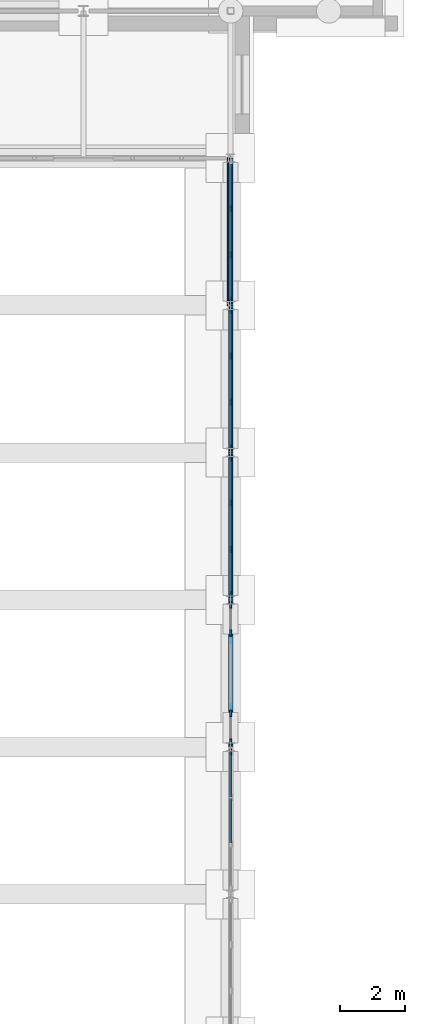
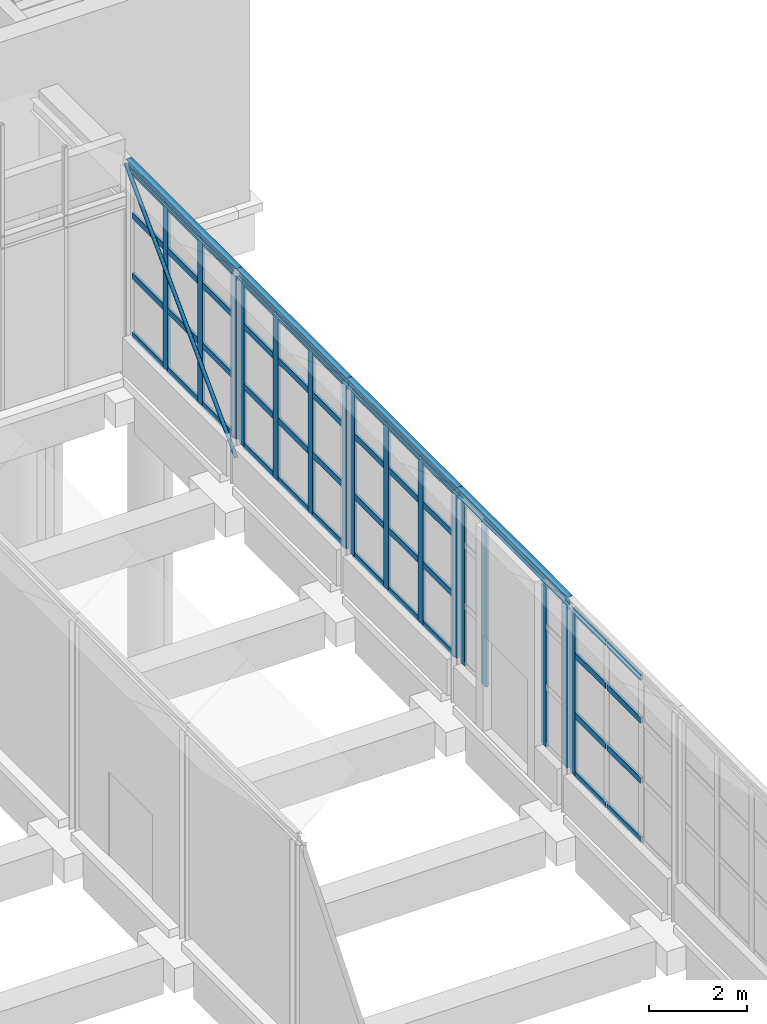
# One storey, part 47 of 106: 61 members, 4 beams, 6 elements without a shape of their own.
"""IFC4 building model written with IfcOpenShell, lengths in metres."""

from ifc_helpers import new_model, si_unit, direction, frame, origin, origin_2d, place, context, subcontext, project, spatial, rectangle, hollow_circle, i_section, extrude, material, layer, layer_set, material_profile, profile_set, type_object, element, aggregate, save


model = new_model("IFC4")

# Units and contexts
model_context = context("Model", 3, precision=1e-05, world=origin(), true_north=direction((0.0, 1.0)))
body_context = subcontext(model_context, "Body", "Model", "MODEL_VIEW")
ifc_project = project(units=[si_unit("LENGTHUNIT", "METRE"), si_unit("AREAUNIT", "SQUARE_METRE"), si_unit("VOLUMEUNIT", "CUBIC_METRE"), si_unit("PLANEANGLEUNIT", "RADIAN"), si_unit("MASSUNIT", "GRAM", prefix="KILO")], contexts=[model_context])

# Site, building, storey
site_placement = place(None, origin())
site = spatial("IfcSite", under=ifc_project, at=site_placement, CompositionType="ELEMENT")
building_placement = place(site_placement, origin())
building = spatial("IfcBuilding", under=site, at=building_placement, Name="Hortulan Conservatory and Botanical Research Centre", CompositionType="ELEMENT")
storey_placement = place(building_placement, origin())
storey = spatial("IfcBuildingStorey", under=building, at=storey_placement, Name="L00", CompositionType="ELEMENT", Elevation=0.0)

# Curtain wall, member
ifc_material_1 = material(Name="Bronze-finished aluminium", Category="aluminium")
ifc_layer = layer(ifc_material_1, 0.10009765625)
ifc_layer_set = layer_set([ifc_layer], Name="Bronze-framed Curtain Wall 1500 module")
curtain_wall_type = type_object("IfcCurtainWallType", Name="Bronze-framed Curtain Wall 1500 module", PredefinedType="NOTDEFINED", material=ifc_layer_set)
curtain_wall_1_placement = place(storey_placement, origin())
curtain_wall_1 = element("IfcCurtainWall", 1, at=curtain_wall_1_placement, inside=storey, type_object=curtain_wall_type, Name="Curtain wall", PredefinedType="NOTDEFINED")
ifc_material_profile_1 = material_profile(ifc_material_1, rectangle(XDim=0.06005859375, YDim=0.199951171875, at=origin_2d()), Name="Bronze Mullion 60x200")
ifc_profile_set_1 = profile_set([ifc_material_profile_1], Name="Bronze-finished aluminium")
member_type_1 = type_object("IfcMemberType", Name="Bronze Mullion 60x200", PredefinedType="MULLION", material=ifc_profile_set_1)
member_1_placement = place(storey_placement, frame((103.5, 13.343017578125, 0.89990234375), z_axis=(0.0, 0.0, 1.0), x_axis=(-1.0, 0.0, 0.0)))
member_1 = element("IfcMember", 2, at=member_1_placement, type_object=member_type_1, Name="CW1 mullion 4", PredefinedType="MULLION", context=body_context, shape_type="SweptSolid", body=[
    extrude(rectangle(XDim=0.06005859375, YDim=0.199951171875, at=origin_2d()), origin(), (0.0, 0.0, 1.0), 4.10009765625),
])

# Curtain wall, members
curtain_wall_2_placement = place(storey_placement, origin())
curtain_wall_2 = element("IfcCurtainWall", 3, at=curtain_wall_2_placement, inside=storey, type_object=curtain_wall_type, Name="Curtain wall", PredefinedType="NOTDEFINED")
member_2_placement = place(storey_placement, frame((103.5, 13.656982421875, 0.89990234375), z_axis=(0.0, 0.0, 1.0), x_axis=(-1.0, 0.0, 0.0)))
member_2 = element("IfcMember", 4, at=member_2_placement, type_object=member_type_1, Name="CW1 mullion 1", PredefinedType="MULLION", context=body_context, shape_type="SweptSolid", body=[
    extrude(rectangle(XDim=0.06005859375, YDim=0.199951171875, at=origin_2d()), origin(), (0.0, 0.0, 1.0), 4.10009765625),
])
member_3_placement = place(storey_placement, frame((103.5, 14.52001953125, 0.89990234375), z_axis=(0.0, 0.0, 1.0), x_axis=(-1.0, 0.0, 0.0)))
member_3 = element("IfcMember", 5, at=member_3_placement, type_object=member_type_1, Name="CW1 mullion 2", PredefinedType="MULLION", context=body_context, shape_type="SweptSolid", body=[
    extrude(rectangle(XDim=0.06005859375, YDim=0.199951171875, at=origin_2d()), origin(), (0.0, 0.0, 1.0), 4.10009765625),
])
aggregate(curtain_wall_2, [member_2, member_3])

curtain_wall_3_placement = place(storey_placement, origin())
curtain_wall_3 = element("IfcCurtainWall", 6, at=curtain_wall_3_placement, inside=storey, type_object=curtain_wall_type, Name="Curtain wall", PredefinedType="NOTDEFINED")
member_4_placement = place(storey_placement, frame((103.5, 16.97998046875, 0.89990234375), z_axis=(0.0, 0.0, 1.0), x_axis=(-1.0, 0.0, 0.0)))
member_4 = element("IfcMember", 7, at=member_4_placement, type_object=member_type_1, Name="CW1 mullion 1", PredefinedType="MULLION", context=body_context, shape_type="SweptSolid", body=[
    extrude(rectangle(XDim=0.06005859375, YDim=0.199951171875, at=origin_2d()), origin(), (0.0, 0.0, 1.0), 4.10009765625),
])
member_5_placement = place(storey_placement, frame((103.5, 17.843017578125, 0.89990234375), z_axis=(0.0, 0.0, 1.0), x_axis=(-1.0, 0.0, 0.0)))
member_5 = element("IfcMember", 8, at=member_5_placement, type_object=member_type_1, Name="CW1 mullion 2", PredefinedType="MULLION", context=body_context, shape_type="SweptSolid", body=[
    extrude(rectangle(XDim=0.06005859375, YDim=0.199951171875, at=origin_2d()), origin(), (0.0, 0.0, 1.0), 4.10009765625),
])
aggregate(curtain_wall_3, [member_4, member_5])

curtain_wall_4_placement = place(storey_placement, origin())
curtain_wall_4 = element("IfcCurtainWall", 9, at=curtain_wall_4_placement, inside=storey, type_object=curtain_wall_type, Name="Curtain wall", PredefinedType="NOTDEFINED")
member_6_placement = place(storey_placement, frame((103.5, 18.156982421875, 0.89990234375), z_axis=(0.0, 0.0, 1.0), x_axis=(-1.0, 0.0, 0.0)))
member_6 = element("IfcMember", 10, at=member_6_placement, type_object=member_type_1, Name="CW1 mullion 1", PredefinedType="MULLION", context=body_context, shape_type="SweptSolid", body=[
    extrude(rectangle(XDim=0.06005859375, YDim=0.199951171875, at=origin_2d()), origin(), (0.0, 0.0, 1.0), 4.10009765625),
])
member_7_placement = place(storey_placement, frame((103.5, 19.542236328125, 0.89990234375), z_axis=(0.0, 0.0, 1.0), x_axis=(-1.0, 0.0, 0.0)))
member_7 = element("IfcMember", 11, at=member_7_placement, type_object=member_type_1, Name="CW1 mullion 2", PredefinedType="MULLION", context=body_context, shape_type="SweptSolid", body=[
    extrude(rectangle(XDim=0.06005859375, YDim=0.199951171875, at=origin_2d()), origin(), (0.0, 0.0, 1.0), 4.10009765625),
])
member_8_placement = place(storey_placement, frame((103.5, 20.957763671875, 0.89990234375), z_axis=(0.0, 0.0, 1.0), x_axis=(-1.0, 0.0, 0.0)))
member_8 = element("IfcMember", 12, at=member_8_placement, type_object=member_type_1, Name="CW1 mullion 3", PredefinedType="MULLION", context=body_context, shape_type="SweptSolid", body=[
    extrude(rectangle(XDim=0.06005859375, YDim=0.199951171875, at=origin_2d()), origin(), (0.0, 0.0, 1.0), 4.10009765625),
])
member_9_placement = place(storey_placement, frame((103.5, 22.343017578125, 0.89990234375), z_axis=(0.0, 0.0, 1.0), x_axis=(-1.0, 0.0, 0.0)))
member_9 = element("IfcMember", 13, at=member_9_placement, type_object=member_type_1, Name="CW1 mullion 4", PredefinedType="MULLION", context=body_context, shape_type="SweptSolid", body=[
    extrude(rectangle(XDim=0.06005859375, YDim=0.199951171875, at=origin_2d()), origin(), (0.0, 0.0, 1.0), 4.10009765625),
])

curtain_wall_5_placement = place(storey_placement, origin())
curtain_wall_5 = element("IfcCurtainWall", 14, at=curtain_wall_5_placement, inside=storey, type_object=curtain_wall_type, Name="Curtain wall", PredefinedType="NOTDEFINED")
member_10_placement = place(storey_placement, frame((103.5, 22.656982421875, 0.89990234375), z_axis=(0.0, 0.0, 1.0), x_axis=(-1.0, 0.0, 0.0)))
member_10 = element("IfcMember", 15, at=member_10_placement, type_object=member_type_1, Name="CW1 mullion 1", PredefinedType="MULLION", context=body_context, shape_type="SweptSolid", body=[
    extrude(rectangle(XDim=0.06005859375, YDim=0.199951171875, at=origin_2d()), origin(), (0.0, 0.0, 1.0), 4.10009765625),
])
member_11_placement = place(storey_placement, frame((103.5, 24.042236328125, 0.89990234375), z_axis=(0.0, 0.0, 1.0), x_axis=(-1.0, 0.0, 0.0)))
member_11 = element("IfcMember", 16, at=member_11_placement, type_object=member_type_1, Name="CW1 mullion 2", PredefinedType="MULLION", context=body_context, shape_type="SweptSolid", body=[
    extrude(rectangle(XDim=0.06005859375, YDim=0.199951171875, at=origin_2d()), origin(), (0.0, 0.0, 1.0), 4.10009765625),
])
member_12_placement = place(storey_placement, frame((103.5, 25.457763671875, 0.89990234375), z_axis=(0.0, 0.0, 1.0), x_axis=(-1.0, 0.0, 0.0)))
member_12 = element("IfcMember", 17, at=member_12_placement, type_object=member_type_1, Name="CW1 mullion 3", PredefinedType="MULLION", context=body_context, shape_type="SweptSolid", body=[
    extrude(rectangle(XDim=0.06005859375, YDim=0.199951171875, at=origin_2d()), origin(), (0.0, 0.0, 1.0), 4.10009765625),
])
member_13_placement = place(storey_placement, frame((103.5, 26.843017578125, 0.89990234375), z_axis=(0.0, 0.0, 1.0), x_axis=(-1.0, 0.0, 0.0)))
member_13 = element("IfcMember", 18, at=member_13_placement, type_object=member_type_1, Name="CW1 mullion 4", PredefinedType="MULLION", context=body_context, shape_type="SweptSolid", body=[
    extrude(rectangle(XDim=0.06005859375, YDim=0.199951171875, at=origin_2d()), origin(), (0.0, 0.0, 1.0), 4.10009765625),
])

curtain_wall_6_placement = place(storey_placement, origin())
curtain_wall_6 = element("IfcCurtainWall", 19, at=curtain_wall_6_placement, inside=storey, type_object=curtain_wall_type, Name="Curtain wall", PredefinedType="NOTDEFINED")
member_14_placement = place(storey_placement, frame((103.5, 27.156982421875, 0.89990234375), z_axis=(0.0, 0.0, 1.0), x_axis=(-1.0, 0.0, 0.0)))
member_14 = element("IfcMember", 20, at=member_14_placement, type_object=member_type_1, Name="CW1 mullion 1", PredefinedType="MULLION", context=body_context, shape_type="SweptSolid", body=[
    extrude(rectangle(XDim=0.06005859375, YDim=0.199951171875, at=origin_2d()), origin(), (0.0, 0.0, 1.0), 4.10009765625),
])
member_15_placement = place(storey_placement, frame((103.5, 28.542236328125, 0.89990234375), z_axis=(0.0, 0.0, 1.0), x_axis=(-1.0, 0.0, 0.0)))
member_15 = element("IfcMember", 21, at=member_15_placement, type_object=member_type_1, Name="CW1 mullion 2", PredefinedType="MULLION", context=body_context, shape_type="SweptSolid", body=[
    extrude(rectangle(XDim=0.06005859375, YDim=0.199951171875, at=origin_2d()), origin(), (0.0, 0.0, 1.0), 4.10009765625),
])
member_16_placement = place(storey_placement, frame((103.5, 29.957763671875, 0.89990234375), z_axis=(0.0, 0.0, 1.0), x_axis=(-1.0, 0.0, 0.0)))
member_16 = element("IfcMember", 22, at=member_16_placement, type_object=member_type_1, Name="CW1 mullion 3", PredefinedType="MULLION", context=body_context, shape_type="SweptSolid", body=[
    extrude(rectangle(XDim=0.06005859375, YDim=0.199951171875, at=origin_2d()), origin(), (0.0, 0.0, 1.0), 4.10009765625),
])

# Member
ifc_material_profile_2 = material_profile(ifc_material_1, rectangle(XDim=0.06005859375, YDim=0.14990234375, at=origin_2d()), Name="Bronze Transom 60x150")
ifc_profile_set_2 = profile_set([ifc_material_profile_2], Name="Bronze-finished aluminium")
member_type_2 = type_object("IfcMemberType", Name="Bronze Transom 60x150", PredefinedType="USERDEFINED", material=ifc_profile_set_2)
member_17_placement = place(storey_placement, frame((103.5, 10.572265625, 0.929931640625), z_axis=(0.0, 1.0, 0.0), x_axis=(-1.0, 0.0, 0.0)))
member_17 = element("IfcMember", 23, at=member_17_placement, type_object=member_type_2, Name="CW1 transom 2.1", ObjectType="TRANSOM", PredefinedType="USERDEFINED", context=body_context, shape_type="SweptSolid", body=[
    extrude(rectangle(XDim=0.06005859375, YDim=0.14990234375, at=origin_2d()), origin(), (0.0, 0.0, 1.0), 1.35546875),
])

member_18_placement = place(storey_placement, frame((103.5, 10.572265625, 2.39990234375), z_axis=(0.0, 1.0, 0.0), x_axis=(-1.0, 0.0, 0.0)))
member_18 = element("IfcMember", 24, at=member_18_placement, type_object=member_type_2, Name="CW1 transom 2.2", ObjectType="TRANSOM", PredefinedType="USERDEFINED", context=body_context, shape_type="SweptSolid", body=[
    extrude(rectangle(XDim=0.06005859375, YDim=0.14990234375, at=origin_2d()), origin(), (0.0, 0.0, 1.0), 1.35546875),
])

member_19_placement = place(storey_placement, frame((103.5, 10.572265625, 3.89990234375), z_axis=(0.0, 1.0, 0.0), x_axis=(-1.0, 0.0, 0.0)))
member_19 = element("IfcMember", 25, at=member_19_placement, type_object=member_type_2, Name="CW1 transom 2.3", ObjectType="TRANSOM", PredefinedType="USERDEFINED", context=body_context, shape_type="SweptSolid", body=[
    extrude(rectangle(XDim=0.06005859375, YDim=0.14990234375, at=origin_2d()), origin(), (0.0, 0.0, 1.0), 1.35546875),
])

member_20_placement = place(storey_placement, frame((103.5, 10.572265625, 4.969970703125), z_axis=(0.0, 1.0, 0.0), x_axis=(-1.0, 0.0, 0.0)))
member_20 = element("IfcMember", 26, at=member_20_placement, type_object=member_type_2, Name="CW1 transom 2.4", ObjectType="TRANSOM", PredefinedType="USERDEFINED", context=body_context, shape_type="SweptSolid", body=[
    extrude(rectangle(XDim=0.06005859375, YDim=0.14990234375, at=origin_2d()), origin(), (0.0, 0.0, 1.0), 1.35546875),
])

member_21_placement = place(storey_placement, frame((103.5, 11.987548828125, 0.929931640625), z_axis=(0.0, 1.0, 0.0), x_axis=(-1.0, 0.0, 0.0)))
member_21 = element("IfcMember", 27, at=member_21_placement, type_object=member_type_2, Name="CW1 transom 3.1", ObjectType="TRANSOM", PredefinedType="USERDEFINED", context=body_context, shape_type="SweptSolid", body=[
    extrude(rectangle(XDim=0.06005859375, YDim=0.14990234375, at=origin_2d()), origin(), (0.0, 0.0, 1.0), 1.325439453125),
])

member_22_placement = place(storey_placement, frame((103.5, 11.987548828125, 2.39990234375), z_axis=(0.0, 1.0, 0.0), x_axis=(-1.0, 0.0, 0.0)))
member_22 = element("IfcMember", 28, at=member_22_placement, type_object=member_type_2, Name="CW1 transom 3.2", ObjectType="TRANSOM", PredefinedType="USERDEFINED", context=body_context, shape_type="SweptSolid", body=[
    extrude(rectangle(XDim=0.06005859375, YDim=0.14990234375, at=origin_2d()), origin(), (0.0, 0.0, 1.0), 1.325439453125),
])

member_23_placement = place(storey_placement, frame((103.5, 11.987548828125, 3.89990234375), z_axis=(0.0, 1.0, 0.0), x_axis=(-1.0, 0.0, 0.0)))
member_23 = element("IfcMember", 29, at=member_23_placement, type_object=member_type_2, Name="CW1 transom 3.3", ObjectType="TRANSOM", PredefinedType="USERDEFINED", context=body_context, shape_type="SweptSolid", body=[
    extrude(rectangle(XDim=0.06005859375, YDim=0.14990234375, at=origin_2d()), origin(), (0.0, 0.0, 1.0), 1.325439453125),
])

member_24_placement = place(storey_placement, frame((103.5, 11.987548828125, 4.969970703125), z_axis=(0.0, 1.0, 0.0), x_axis=(-1.0, 0.0, 0.0)))
member_24 = element("IfcMember", 30, at=member_24_placement, type_object=member_type_2, Name="CW1 transom 3.4", ObjectType="TRANSOM", PredefinedType="USERDEFINED", context=body_context, shape_type="SweptSolid", body=[
    extrude(rectangle(XDim=0.06005859375, YDim=0.14990234375, at=origin_2d()), origin(), (0.0, 0.0, 1.0), 1.325439453125),
])

aggregate(curtain_wall_1, [member_1, member_17, member_18, member_19, member_20, member_21, member_22, member_23, member_24])

member_25_placement = place(storey_placement, frame((103.5, 18.18701171875, 0.929931640625), z_axis=(0.0, 1.0, 0.0), x_axis=(-1.0, 0.0, 0.0)))
member_25 = element("IfcMember", 31, at=member_25_placement, type_object=member_type_2, Name="CW1 transom 1.1", ObjectType="TRANSOM", PredefinedType="USERDEFINED", context=body_context, shape_type="SweptSolid", body=[
    extrude(rectangle(XDim=0.06005859375, YDim=0.14990234375, at=origin_2d()), origin(), (0.0, 0.0, 1.0), 1.325439453125),
])

member_26_placement = place(storey_placement, frame((103.5, 18.18701171875, 2.39990234375), z_axis=(0.0, 1.0, 0.0), x_axis=(-1.0, 0.0, 0.0)))
member_26 = element("IfcMember", 32, at=member_26_placement, type_object=member_type_2, Name="CW1 transom 1.2", ObjectType="TRANSOM", PredefinedType="USERDEFINED", context=body_context, shape_type="SweptSolid", body=[
    extrude(rectangle(XDim=0.06005859375, YDim=0.14990234375, at=origin_2d()), origin(), (0.0, 0.0, 1.0), 1.325439453125),
])

member_27_placement = place(storey_placement, frame((103.5, 18.18701171875, 3.89990234375), z_axis=(0.0, 1.0, 0.0), x_axis=(-1.0, 0.0, 0.0)))
member_27 = element("IfcMember", 33, at=member_27_placement, type_object=member_type_2, Name="CW1 transom 1.3", ObjectType="TRANSOM", PredefinedType="USERDEFINED", context=body_context, shape_type="SweptSolid", body=[
    extrude(rectangle(XDim=0.06005859375, YDim=0.14990234375, at=origin_2d()), origin(), (0.0, 0.0, 1.0), 1.325439453125),
])

member_28_placement = place(storey_placement, frame((103.5, 18.18701171875, 4.969970703125), z_axis=(0.0, 1.0, 0.0), x_axis=(-1.0, 0.0, 0.0)))
member_28 = element("IfcMember", 34, at=member_28_placement, type_object=member_type_2, Name="CW1 transom 1.4", ObjectType="TRANSOM", PredefinedType="USERDEFINED", context=body_context, shape_type="SweptSolid", body=[
    extrude(rectangle(XDim=0.06005859375, YDim=0.14990234375, at=origin_2d()), origin(), (0.0, 0.0, 1.0), 1.325439453125),
])

member_29_placement = place(storey_placement, frame((103.5, 19.572265625, 0.929931640625), z_axis=(0.0, 1.0, 0.0), x_axis=(-1.0, 0.0, 0.0)))
member_29 = element("IfcMember", 35, at=member_29_placement, type_object=member_type_2, Name="CW1 transom 2.1", ObjectType="TRANSOM", PredefinedType="USERDEFINED", context=body_context, shape_type="SweptSolid", body=[
    extrude(rectangle(XDim=0.06005859375, YDim=0.14990234375, at=origin_2d()), origin(), (0.0, 0.0, 1.0), 1.35546875),
])

member_30_placement = place(storey_placement, frame((103.5, 19.572265625, 2.39990234375), z_axis=(0.0, 1.0, 0.0), x_axis=(-1.0, 0.0, 0.0)))
member_30 = element("IfcMember", 36, at=member_30_placement, type_object=member_type_2, Name="CW1 transom 2.2", ObjectType="TRANSOM", PredefinedType="USERDEFINED", context=body_context, shape_type="SweptSolid", body=[
    extrude(rectangle(XDim=0.06005859375, YDim=0.14990234375, at=origin_2d()), origin(), (0.0, 0.0, 1.0), 1.35546875),
])

member_31_placement = place(storey_placement, frame((103.5, 19.572265625, 3.89990234375), z_axis=(0.0, 1.0, 0.0), x_axis=(-1.0, 0.0, 0.0)))
member_31 = element("IfcMember", 37, at=member_31_placement, type_object=member_type_2, Name="CW1 transom 2.3", ObjectType="TRANSOM", PredefinedType="USERDEFINED", context=body_context, shape_type="SweptSolid", body=[
    extrude(rectangle(XDim=0.06005859375, YDim=0.14990234375, at=origin_2d()), origin(), (0.0, 0.0, 1.0), 1.35546875),
])

member_32_placement = place(storey_placement, frame((103.5, 19.572265625, 4.969970703125), z_axis=(0.0, 1.0, 0.0), x_axis=(-1.0, 0.0, 0.0)))
member_32 = element("IfcMember", 38, at=member_32_placement, type_object=member_type_2, Name="CW1 transom 2.4", ObjectType="TRANSOM", PredefinedType="USERDEFINED", context=body_context, shape_type="SweptSolid", body=[
    extrude(rectangle(XDim=0.06005859375, YDim=0.14990234375, at=origin_2d()), origin(), (0.0, 0.0, 1.0), 1.35546875),
])

member_33_placement = place(storey_placement, frame((103.5, 20.987548828125, 0.929931640625), z_axis=(0.0, 1.0, 0.0), x_axis=(-1.0, 0.0, 0.0)))
member_33 = element("IfcMember", 39, at=member_33_placement, type_object=member_type_2, Name="CW1 transom 3.1", ObjectType="TRANSOM", PredefinedType="USERDEFINED", context=body_context, shape_type="SweptSolid", body=[
    extrude(rectangle(XDim=0.06005859375, YDim=0.14990234375, at=origin_2d()), origin(), (0.0, 0.0, 1.0), 1.325439453125),
])

member_34_placement = place(storey_placement, frame((103.5, 20.987548828125, 2.39990234375), z_axis=(0.0, 1.0, 0.0), x_axis=(-1.0, 0.0, 0.0)))
member_34 = element("IfcMember", 40, at=member_34_placement, type_object=member_type_2, Name="CW1 transom 3.2", ObjectType="TRANSOM", PredefinedType="USERDEFINED", context=body_context, shape_type="SweptSolid", body=[
    extrude(rectangle(XDim=0.06005859375, YDim=0.14990234375, at=origin_2d()), origin(), (0.0, 0.0, 1.0), 1.325439453125),
])

member_35_placement = place(storey_placement, frame((103.5, 20.987548828125, 3.89990234375), z_axis=(0.0, 1.0, 0.0), x_axis=(-1.0, 0.0, 0.0)))
member_35 = element("IfcMember", 41, at=member_35_placement, type_object=member_type_2, Name="CW1 transom 3.3", ObjectType="TRANSOM", PredefinedType="USERDEFINED", context=body_context, shape_type="SweptSolid", body=[
    extrude(rectangle(XDim=0.06005859375, YDim=0.14990234375, at=origin_2d()), origin(), (0.0, 0.0, 1.0), 1.325439453125),
])

member_36_placement = place(storey_placement, frame((103.5, 20.987548828125, 4.969970703125), z_axis=(0.0, 1.0, 0.0), x_axis=(-1.0, 0.0, 0.0)))
member_36 = element("IfcMember", 42, at=member_36_placement, type_object=member_type_2, Name="CW1 transom 3.4", ObjectType="TRANSOM", PredefinedType="USERDEFINED", context=body_context, shape_type="SweptSolid", body=[
    extrude(rectangle(XDim=0.06005859375, YDim=0.14990234375, at=origin_2d()), origin(), (0.0, 0.0, 1.0), 1.325439453125),
])

aggregate(curtain_wall_4, [member_6, member_7, member_8, member_9, member_25, member_26, member_27, member_28, member_29, member_30, member_31, member_32, member_33, member_34, member_35, member_36])

member_37_placement = place(storey_placement, frame((103.5, 22.68701171875, 0.929931640625), z_axis=(0.0, 1.0, 0.0), x_axis=(-1.0, 0.0, 0.0)))
member_37 = element("IfcMember", 43, at=member_37_placement, type_object=member_type_2, Name="CW1 transom 1.1", ObjectType="TRANSOM", PredefinedType="USERDEFINED", context=body_context, shape_type="SweptSolid", body=[
    extrude(rectangle(XDim=0.06005859375, YDim=0.14990234375, at=origin_2d()), origin(), (0.0, 0.0, 1.0), 1.325439453125),
])

member_38_placement = place(storey_placement, frame((103.5, 22.68701171875, 2.39990234375), z_axis=(0.0, 1.0, 0.0), x_axis=(-1.0, 0.0, 0.0)))
member_38 = element("IfcMember", 44, at=member_38_placement, type_object=member_type_2, Name="CW1 transom 1.2", ObjectType="TRANSOM", PredefinedType="USERDEFINED", context=body_context, shape_type="SweptSolid", body=[
    extrude(rectangle(XDim=0.06005859375, YDim=0.14990234375, at=origin_2d()), origin(), (0.0, 0.0, 1.0), 1.325439453125),
])

member_39_placement = place(storey_placement, frame((103.5, 22.68701171875, 3.89990234375), z_axis=(0.0, 1.0, 0.0), x_axis=(-1.0, 0.0, 0.0)))
member_39 = element("IfcMember", 45, at=member_39_placement, type_object=member_type_2, Name="CW1 transom 1.3", ObjectType="TRANSOM", PredefinedType="USERDEFINED", context=body_context, shape_type="SweptSolid", body=[
    extrude(rectangle(XDim=0.06005859375, YDim=0.14990234375, at=origin_2d()), origin(), (0.0, 0.0, 1.0), 1.325439453125),
])

member_40_placement = place(storey_placement, frame((103.5, 22.68701171875, 4.969970703125), z_axis=(0.0, 1.0, 0.0), x_axis=(-1.0, 0.0, 0.0)))
member_40 = element("IfcMember", 46, at=member_40_placement, type_object=member_type_2, Name="CW1 transom 1.4", ObjectType="TRANSOM", PredefinedType="USERDEFINED", context=body_context, shape_type="SweptSolid", body=[
    extrude(rectangle(XDim=0.06005859375, YDim=0.14990234375, at=origin_2d()), origin(), (0.0, 0.0, 1.0), 1.325439453125),
])

member_41_placement = place(storey_placement, frame((103.5, 24.072265625, 0.929931640625), z_axis=(0.0, 1.0, 0.0), x_axis=(-1.0, 0.0, 0.0)))
member_41 = element("IfcMember", 47, at=member_41_placement, type_object=member_type_2, Name="CW1 transom 2.1", ObjectType="TRANSOM", PredefinedType="USERDEFINED", context=body_context, shape_type="SweptSolid", body=[
    extrude(rectangle(XDim=0.06005859375, YDim=0.14990234375, at=origin_2d()), origin(), (0.0, 0.0, 1.0), 1.35546875),
])

member_42_placement = place(storey_placement, frame((103.5, 24.072265625, 2.39990234375), z_axis=(0.0, 1.0, 0.0), x_axis=(-1.0, 0.0, 0.0)))
member_42 = element("IfcMember", 48, at=member_42_placement, type_object=member_type_2, Name="CW1 transom 2.2", ObjectType="TRANSOM", PredefinedType="USERDEFINED", context=body_context, shape_type="SweptSolid", body=[
    extrude(rectangle(XDim=0.06005859375, YDim=0.14990234375, at=origin_2d()), origin(), (0.0, 0.0, 1.0), 1.35546875),
])

member_43_placement = place(storey_placement, frame((103.5, 24.072265625, 3.89990234375), z_axis=(0.0, 1.0, 0.0), x_axis=(-1.0, 0.0, 0.0)))
member_43 = element("IfcMember", 49, at=member_43_placement, type_object=member_type_2, Name="CW1 transom 2.3", ObjectType="TRANSOM", PredefinedType="USERDEFINED", context=body_context, shape_type="SweptSolid", body=[
    extrude(rectangle(XDim=0.06005859375, YDim=0.14990234375, at=origin_2d()), origin(), (0.0, 0.0, 1.0), 1.35546875),
])

member_44_placement = place(storey_placement, frame((103.5, 24.072265625, 4.969970703125), z_axis=(0.0, 1.0, 0.0), x_axis=(-1.0, 0.0, 0.0)))
member_44 = element("IfcMember", 50, at=member_44_placement, type_object=member_type_2, Name="CW1 transom 2.4", ObjectType="TRANSOM", PredefinedType="USERDEFINED", context=body_context, shape_type="SweptSolid", body=[
    extrude(rectangle(XDim=0.06005859375, YDim=0.14990234375, at=origin_2d()), origin(), (0.0, 0.0, 1.0), 1.35546875),
])

member_45_placement = place(storey_placement, frame((103.5, 25.487548828125, 0.929931640625), z_axis=(0.0, 1.0, 0.0), x_axis=(-1.0, 0.0, 0.0)))
member_45 = element("IfcMember", 51, at=member_45_placement, type_object=member_type_2, Name="CW1 transom 3.1", ObjectType="TRANSOM", PredefinedType="USERDEFINED", context=body_context, shape_type="SweptSolid", body=[
    extrude(rectangle(XDim=0.06005859375, YDim=0.14990234375, at=origin_2d()), origin(), (0.0, 0.0, 1.0), 1.325439453125),
])

member_46_placement = place(storey_placement, frame((103.5, 25.487548828125, 2.39990234375), z_axis=(0.0, 1.0, 0.0), x_axis=(-1.0, 0.0, 0.0)))
member_46 = element("IfcMember", 52, at=member_46_placement, type_object=member_type_2, Name="CW1 transom 3.2", ObjectType="TRANSOM", PredefinedType="USERDEFINED", context=body_context, shape_type="SweptSolid", body=[
    extrude(rectangle(XDim=0.06005859375, YDim=0.14990234375, at=origin_2d()), origin(), (0.0, 0.0, 1.0), 1.325439453125),
])

member_47_placement = place(storey_placement, frame((103.5, 25.487548828125, 3.89990234375), z_axis=(0.0, 1.0, 0.0), x_axis=(-1.0, 0.0, 0.0)))
member_47 = element("IfcMember", 53, at=member_47_placement, type_object=member_type_2, Name="CW1 transom 3.3", ObjectType="TRANSOM", PredefinedType="USERDEFINED", context=body_context, shape_type="SweptSolid", body=[
    extrude(rectangle(XDim=0.06005859375, YDim=0.14990234375, at=origin_2d()), origin(), (0.0, 0.0, 1.0), 1.325439453125),
])

member_48_placement = place(storey_placement, frame((103.5, 25.487548828125, 4.969970703125), z_axis=(0.0, 1.0, 0.0), x_axis=(-1.0, 0.0, 0.0)))
member_48 = element("IfcMember", 54, at=member_48_placement, type_object=member_type_2, Name="CW1 transom 3.4", ObjectType="TRANSOM", PredefinedType="USERDEFINED", context=body_context, shape_type="SweptSolid", body=[
    extrude(rectangle(XDim=0.06005859375, YDim=0.14990234375, at=origin_2d()), origin(), (0.0, 0.0, 1.0), 1.325439453125),
])

aggregate(curtain_wall_5, [member_10, member_11, member_12, member_13, member_37, member_38, member_39, member_40, member_41, member_42, member_43, member_44, member_45, member_46, member_47, member_48])

member_49_placement = place(storey_placement, frame((103.5, 27.18701171875, 0.929931640625), z_axis=(0.0, 1.0, 0.0), x_axis=(-1.0, 0.0, 0.0)))
member_49 = element("IfcMember", 55, at=member_49_placement, type_object=member_type_2, Name="CW1 transom 1.1", ObjectType="TRANSOM", PredefinedType="USERDEFINED", context=body_context, shape_type="SweptSolid", body=[
    extrude(rectangle(XDim=0.06005859375, YDim=0.14990234375, at=origin_2d()), origin(), (0.0, 0.0, 1.0), 1.325439453125),
])

member_50_placement = place(storey_placement, frame((103.5, 27.18701171875, 2.39990234375), z_axis=(0.0, 1.0, 0.0), x_axis=(-1.0, 0.0, 0.0)))
member_50 = element("IfcMember", 56, at=member_50_placement, type_object=member_type_2, Name="CW1 transom 1.2", ObjectType="TRANSOM", PredefinedType="USERDEFINED", context=body_context, shape_type="SweptSolid", body=[
    extrude(rectangle(XDim=0.06005859375, YDim=0.14990234375, at=origin_2d()), origin(), (0.0, 0.0, 1.0), 1.325439453125),
])

member_51_placement = place(storey_placement, frame((103.5, 27.18701171875, 3.89990234375), z_axis=(0.0, 1.0, 0.0), x_axis=(-1.0, 0.0, 0.0)))
member_51 = element("IfcMember", 57, at=member_51_placement, type_object=member_type_2, Name="CW1 transom 1.3", ObjectType="TRANSOM", PredefinedType="USERDEFINED", context=body_context, shape_type="SweptSolid", body=[
    extrude(rectangle(XDim=0.06005859375, YDim=0.14990234375, at=origin_2d()), origin(), (0.0, 0.0, 1.0), 1.325439453125),
])

member_52_placement = place(storey_placement, frame((103.5, 27.18701171875, 4.969970703125), z_axis=(0.0, 1.0, 0.0), x_axis=(-1.0, 0.0, 0.0)))
member_52 = element("IfcMember", 58, at=member_52_placement, type_object=member_type_2, Name="CW1 transom 1.4", ObjectType="TRANSOM", PredefinedType="USERDEFINED", context=body_context, shape_type="SweptSolid", body=[
    extrude(rectangle(XDim=0.06005859375, YDim=0.14990234375, at=origin_2d()), origin(), (0.0, 0.0, 1.0), 1.325439453125),
])

member_53_placement = place(storey_placement, frame((103.5, 28.572265625, 0.929931640625), z_axis=(0.0, 1.0, 0.0), x_axis=(-1.0, 0.0, 0.0)))
member_53 = element("IfcMember", 59, at=member_53_placement, type_object=member_type_2, Name="CW1 transom 2.1", ObjectType="TRANSOM", PredefinedType="USERDEFINED", context=body_context, shape_type="SweptSolid", body=[
    extrude(rectangle(XDim=0.06005859375, YDim=0.14990234375, at=origin_2d()), origin(), (0.0, 0.0, 1.0), 1.35546875),
])

member_54_placement = place(storey_placement, frame((103.5, 28.572265625, 2.39990234375), z_axis=(0.0, 1.0, 0.0), x_axis=(-1.0, 0.0, 0.0)))
member_54 = element("IfcMember", 60, at=member_54_placement, type_object=member_type_2, Name="CW1 transom 2.2", ObjectType="TRANSOM", PredefinedType="USERDEFINED", context=body_context, shape_type="SweptSolid", body=[
    extrude(rectangle(XDim=0.06005859375, YDim=0.14990234375, at=origin_2d()), origin(), (0.0, 0.0, 1.0), 1.35546875),
])

member_55_placement = place(storey_placement, frame((103.5, 28.572265625, 3.89990234375), z_axis=(0.0, 1.0, 0.0), x_axis=(-1.0, 0.0, 0.0)))
member_55 = element("IfcMember", 61, at=member_55_placement, type_object=member_type_2, Name="CW1 transom 2.3", ObjectType="TRANSOM", PredefinedType="USERDEFINED", context=body_context, shape_type="SweptSolid", body=[
    extrude(rectangle(XDim=0.06005859375, YDim=0.14990234375, at=origin_2d()), origin(), (0.0, 0.0, 1.0), 1.35546875),
])

member_56_placement = place(storey_placement, frame((103.5, 28.572265625, 4.969970703125), z_axis=(0.0, 1.0, 0.0), x_axis=(-1.0, 0.0, 0.0)))
member_56 = element("IfcMember", 62, at=member_56_placement, type_object=member_type_2, Name="CW1 transom 2.4", ObjectType="TRANSOM", PredefinedType="USERDEFINED", context=body_context, shape_type="SweptSolid", body=[
    extrude(rectangle(XDim=0.06005859375, YDim=0.14990234375, at=origin_2d()), origin(), (0.0, 0.0, 1.0), 1.35546875),
])

member_57_placement = place(storey_placement, frame((103.5, 29.987548828125, 0.929931640625), z_axis=(0.0, 1.0, 0.0), x_axis=(-1.0, 0.0, 0.0)))
member_57 = element("IfcMember", 63, at=member_57_placement, type_object=member_type_2, Name="CW1 transom 3.1", ObjectType="TRANSOM", PredefinedType="USERDEFINED", context=body_context, shape_type="SweptSolid", body=[
    extrude(rectangle(XDim=0.06005859375, YDim=0.14990234375, at=origin_2d()), origin(), (0.0, 0.0, 1.0), 1.325439453125),
])

member_58_placement = place(storey_placement, frame((103.5, 29.987548828125, 2.39990234375), z_axis=(0.0, 1.0, 0.0), x_axis=(-1.0, 0.0, 0.0)))
member_58 = element("IfcMember", 64, at=member_58_placement, type_object=member_type_2, Name="CW1 transom 3.2", ObjectType="TRANSOM", PredefinedType="USERDEFINED", context=body_context, shape_type="SweptSolid", body=[
    extrude(rectangle(XDim=0.06005859375, YDim=0.14990234375, at=origin_2d()), origin(), (0.0, 0.0, 1.0), 1.325439453125),
])

member_59_placement = place(storey_placement, frame((103.5, 29.987548828125, 3.89990234375), z_axis=(0.0, 1.0, 0.0), x_axis=(-1.0, 0.0, 0.0)))
member_59 = element("IfcMember", 65, at=member_59_placement, type_object=member_type_2, Name="CW1 transom 3.3", ObjectType="TRANSOM", PredefinedType="USERDEFINED", context=body_context, shape_type="SweptSolid", body=[
    extrude(rectangle(XDim=0.06005859375, YDim=0.14990234375, at=origin_2d()), origin(), (0.0, 0.0, 1.0), 1.325439453125),
])

member_60_placement = place(storey_placement, frame((103.5, 29.987548828125, 4.969970703125), z_axis=(0.0, 1.0, 0.0), x_axis=(-1.0, 0.0, 0.0)))
member_60 = element("IfcMember", 66, at=member_60_placement, type_object=member_type_2, Name="CW1 transom 3.4", ObjectType="TRANSOM", PredefinedType="USERDEFINED", context=body_context, shape_type="SweptSolid", body=[
    extrude(rectangle(XDim=0.06005859375, YDim=0.14990234375, at=origin_2d()), origin(), (0.0, 0.0, 1.0), 1.325439453125),
])

aggregate(curtain_wall_6, [member_14, member_15, member_16, member_49, member_50, member_51, member_52, member_53, member_54, member_55, member_56, member_57, member_58, member_59, member_60])

ifc_material_2 = material(Name="Steel Grade C350L0 (350 MPa, AS/NZS 1163)", Category="steel")
ifc_material_profile_3 = material_profile(ifc_material_2, hollow_circle(Radius=0.04443359375, WallThickness=0.005859375, at=origin_2d()), Name="88.9x5.9CHS")
ifc_profile_set_3 = profile_set([ifc_material_profile_3], Name="Steel Grade C350L0 (350 MPa, AS/NZS 1163)")
member_type_3 = type_object("IfcMemberType", Name="Climate House Bracing 88.9x5.9 CHS", PredefinedType="BRACE", material=ifc_profile_set_3)
member_61_placement = place(storey_placement, frame((103.431640625, 27.0, 0.5), z_axis=(0.0, 0.699021115287, 0.715101028095), x_axis=(-1.0, 0.0, 0.0)))
element("IfcMember", 67, at=member_61_placement, inside=storey, type_object=member_type_3, Name="Climate house wall bracing line 4 end bay 2", PredefinedType="BRACE", context=body_context, shape_type="SweptSolid", body=[
    extrude(hollow_circle(Radius=0.04443359375, WallThickness=0.005859375, at=origin_2d()), origin(), (0.0, 0.0, 1.0), 6.4375),
])

# Beams
ifc_material_3 = material(Name="Steel Grade 300PLUS (AS/NZS 3679.1, 280 MPa minimum yield)", Category="steel")
ifc_material_profile_4 = material_profile(ifc_material_3, i_section(OverallWidth=0.134033203125, OverallDepth=0.20703125, WebThickness=0.00634765625, FlangeThickness=0.009521484375, FilletRadius=0.0087890625, at=origin_2d()), Name="200UB29.8")
ifc_profile_set_4 = profile_set([ifc_material_profile_4], Name="Steel Grade 300PLUS (AS/NZS 3679.1, 280 MPa minimum yield)")
beam_type = type_object("IfcBeamType", Name="Climate House Eaves Beam 200UB29.8", PredefinedType="BEAM", material=ifc_profile_set_4)
for number, where, z_axis, x_axis, name in (
    (68, (103.5, 13.5, 5.103515625), (0.0, 1.0, 0.0), (-1.0, 0.0, 0.0), "Climate house eaves beam line 4 bay 4"),
    (69, (103.5, 18.0, 5.103515625), (0.0, 1.0, 0.0), (-1.0, 0.0, 0.0), "Climate house eaves beam line 4 bay 5"),
    (70, (103.5, 22.5, 5.103515625), (0.0, 1.0, 0.0), (-1.0, 0.0, 0.0), "Climate house eaves beam line 4 bay 6"),
    (71, (103.5, 27.0, 5.103515625), (0.0, 1.0, 0.0), (-1.0, 0.0, 0.0), "Climate house eaves beam line 4 bay 7"),
):
    element("IfcBeam", number, at=place(storey_placement, frame(where, z_axis=z_axis, x_axis=x_axis)), inside=storey, type_object=beam_type, Name=name, PredefinedType="BEAM", context=body_context, shape_type="SweptSolid", body=[
        extrude(i_section(OverallWidth=0.134033203125, OverallDepth=0.20703125, WebThickness=0.00634765625, FlangeThickness=0.009521484375, FilletRadius=0.0087890625, at=origin_2d()), origin(), (0.0, 0.0, 1.0), 4.5),
    ])

save(model, "model.ifc")
